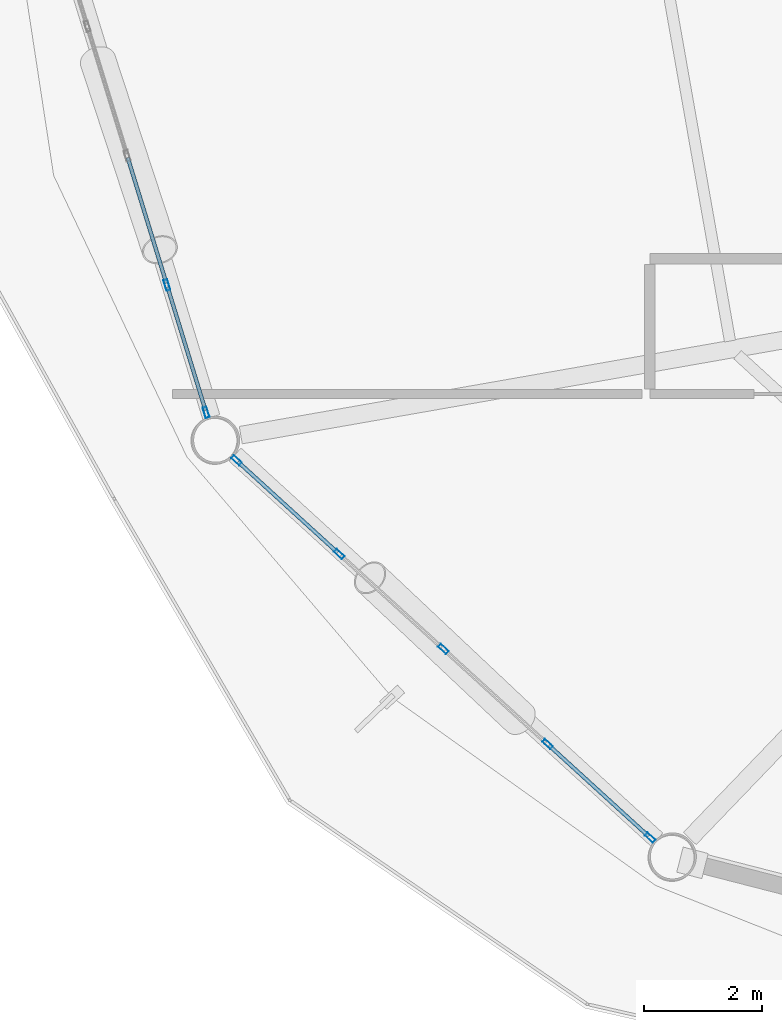
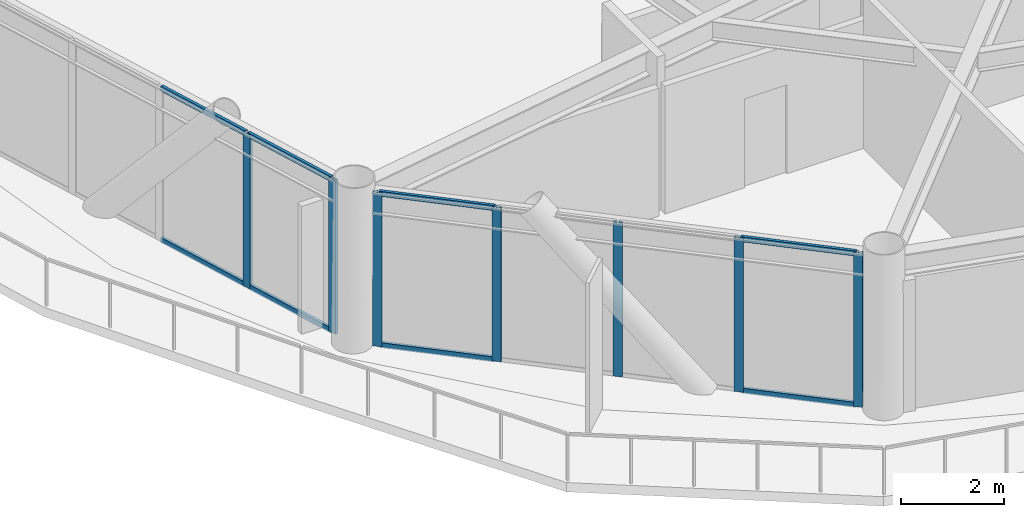
# One storey, part 2 of 23: 15 members, 2 elements without a shape of their own.
"""IFC4 building model written with IfcOpenShell, lengths in metres."""

from ifc_helpers import new_model, si_unit, direction, frame, origin, origin_2d, place, context, subcontext, project, spatial, hollow_rectangle, extrude, material, layer, layer_set, material_profile, profile_set, type_object, element, aggregate, save


model = new_model("IFC4")

# Units and contexts
model_context = context("Model", 3, precision=1e-05, world=origin(), true_north=direction((0.0, 1.0)))
body_context = subcontext(model_context, "Body", "Model", "MODEL_VIEW")
ifc_project = project(units=[si_unit("LENGTHUNIT", "METRE"), si_unit("AREAUNIT", "SQUARE_METRE"), si_unit("VOLUMEUNIT", "CUBIC_METRE"), si_unit("PLANEANGLEUNIT", "RADIAN"), si_unit("MASSUNIT", "GRAM", prefix="KILO")], contexts=[model_context])

# Site, building, storey
site_placement = place(None, origin())
site = spatial("IfcSite", under=ifc_project, at=site_placement, CompositionType="ELEMENT")
building_placement = place(site_placement, origin())
building = spatial("IfcBuilding", under=site, at=building_placement, Name="Varnakorn Sky Granary", CompositionType="ELEMENT")
storey_placement = place(building_placement, frame((0.0, 0.0, 114.89990234375)))
storey = spatial("IfcBuildingStorey", under=building, at=storey_placement, Name="L28", CompositionType="ELEMENT", Elevation=114.89990234375)

# Curtain wall, members
ifc_material = material(Name="Anodised Bronze Aluminium Alloy 6063-T6", Category="aluminium")
ifc_layer = layer(ifc_material, 0.179931640625, Name="Anodised Bronze Aluminium Alloy 6063-T6")
ifc_layer_set = layer_set([ifc_layer], Name="Anodised Bronze Aluminium Alloy 6063-T6")
curtain_wall_type = type_object("IfcCurtainWallType", Name="CW-FRM-2", PredefinedType="USERDEFINED", material=ifc_layer_set)
curtain_wall_1_placement = place(storey_placement, origin())
curtain_wall_1 = element("IfcCurtainWall", 1, at=curtain_wall_1_placement, inside=storey, type_object=curtain_wall_type, Name="Unitised Curtain Wall CW4 CW-L28-B07", ObjectType="CURTAIN WALL", PredefinedType="USERDEFINED")
ifc_material_profile_1 = material_profile(ifc_material, hollow_rectangle(XDim=0.070068359375, YDim=0.18505859375, WallThickness=0.00390625, at=origin_2d()), Name="ALU MULL 70x185")
ifc_profile_set_1 = profile_set([ifc_material_profile_1], Name="Anodised Bronze Aluminium Alloy 6063-T6")
member_type_1 = type_object("IfcMemberType", Name="CW-FRM-2-MULL", PredefinedType="MULLION", material=ifc_profile_set_1)
member_1_placement = place(storey_placement, frame((-20.048828125, -9.211669921875, 0.0), z_axis=(0.0, 0.0, 1.0), x_axis=(-0.955783470906, -0.294071346349, 0.0)))
member_1 = element("IfcMember", 2, at=member_1_placement, type_object=member_type_1, Name="CW4 mullion 1", PredefinedType="MULLION", context=body_context, shape_type="SweptSolid", body=[
    extrude(hollow_rectangle(XDim=0.070068359375, YDim=0.18505859375, WallThickness=0.00390625, at=origin_2d()), origin(), (0.0, 0.0, 1.0), 3.64013671875),
])
member_2_placement = place(storey_placement, frame((-20.71533203125, -7.04541015625, 0.0), z_axis=(0.0, 0.0, 1.0), x_axis=(-0.955783470906, -0.294071346349, 0.0)))
member_2 = element("IfcMember", 3, at=member_2_placement, type_object=member_type_1, Name="CW4 mullion 2", PredefinedType="MULLION", context=body_context, shape_type="SweptSolid", body=[
    extrude(hollow_rectangle(XDim=0.070068359375, YDim=0.18505859375, WallThickness=0.00390625, at=origin_2d()), origin(), (0.0, 0.0, 1.0), 3.64013671875),
])

curtain_wall_2_placement = place(storey_placement, origin())
curtain_wall_2 = element("IfcCurtainWall", 4, at=curtain_wall_2_placement, inside=storey, type_object=curtain_wall_type, Name="Unitised Curtain Wall CW4 CW-L28-B08", ObjectType="CURTAIN WALL", PredefinedType="USERDEFINED")
member_3_placement = place(storey_placement, frame((-12.49462890625, -16.447265625, 0.0), z_axis=(0.0, 0.0, 1.0), x_axis=(-0.673924759752, -0.738799985242, 0.0)))
member_3 = element("IfcMember", 5, at=member_3_placement, type_object=member_type_1, Name="CW4 mullion 1", PredefinedType="MULLION", context=body_context, shape_type="SweptSolid", body=[
    extrude(hollow_rectangle(XDim=0.070068359375, YDim=0.18505859375, WallThickness=0.00390625, at=origin_2d()), origin(), (0.0, 0.0, 1.0), 3.64013671875),
])
member_4_placement = place(storey_placement, frame((-14.24072265625, -14.8544921875, 0.0), z_axis=(0.0, 0.0, 1.0), x_axis=(-0.673924759752, -0.738799985242, 0.0)))
member_4 = element("IfcMember", 6, at=member_4_placement, type_object=member_type_1, Name="CW4 mullion 2", PredefinedType="MULLION", context=body_context, shape_type="SweptSolid", body=[
    extrude(hollow_rectangle(XDim=0.070068359375, YDim=0.18505859375, WallThickness=0.00390625, at=origin_2d()), origin(), (0.0, 0.0, 1.0), 3.64013671875),
])
member_5_placement = place(storey_placement, frame((-16.0126953125, -13.238037109375, 0.0), z_axis=(0.0, 0.0, 1.0), x_axis=(-0.673924759752, -0.738799985242, 0.0)))
member_5 = element("IfcMember", 7, at=member_5_placement, type_object=member_type_1, Name="CW4 mullion 3", PredefinedType="MULLION", context=body_context, shape_type="SweptSolid", body=[
    extrude(hollow_rectangle(XDim=0.070068359375, YDim=0.18505859375, WallThickness=0.00390625, at=origin_2d()), origin(), (0.0, 0.0, 1.0), 3.64013671875),
])
member_6_placement = place(storey_placement, frame((-17.78466796875, -11.621826171875, 0.0), z_axis=(0.0, 0.0, 1.0), x_axis=(-0.673924759752, -0.738799985242, 0.0)))
member_6 = element("IfcMember", 8, at=member_6_placement, type_object=member_type_1, Name="CW4 mullion 4", PredefinedType="MULLION", context=body_context, shape_type="SweptSolid", body=[
    extrude(hollow_rectangle(XDim=0.070068359375, YDim=0.18505859375, WallThickness=0.00390625, at=origin_2d()), origin(), (0.0, 0.0, 1.0), 3.64013671875),
])
member_7_placement = place(storey_placement, frame((-19.53076171875, -10.029052734375, 0.0), z_axis=(0.0, 0.0, 1.0), x_axis=(-0.673924759752, -0.738799985242, 0.0)))
member_7 = element("IfcMember", 9, at=member_7_placement, type_object=member_type_1, Name="CW4 mullion 5", PredefinedType="MULLION", context=body_context, shape_type="SweptSolid", body=[
    extrude(hollow_rectangle(XDim=0.070068359375, YDim=0.18505859375, WallThickness=0.00390625, at=origin_2d()), origin(), (0.0, 0.0, 1.0), 3.64013671875),
])

# Member
ifc_material_profile_2 = material_profile(ifc_material, hollow_rectangle(XDim=0.06494140625, YDim=0.1201171875, WallThickness=0.00341796875, at=origin_2d()), Name="ALU TRAN 65x120")
ifc_profile_set_2 = profile_set([ifc_material_profile_2], Name="Anodised Bronze Aluminium Alloy 6063-T6")
member_type_2 = type_object("IfcMemberType", Name="CW-FRM-2-TRAN", PredefinedType="USERDEFINED", material=ifc_profile_set_2)
member_8_placement = place(storey_placement, frame((-20.05908203125, -9.17822265625, 0.03271484375), z_axis=(-0.294101469803, 0.955774202131, 0.0), x_axis=(-0.955774202131, -0.294101469803, 0.0)))
member_8 = element("IfcMember", 10, at=member_8_placement, type_object=member_type_2, Name="CW4 transom 1.1", ObjectType="TRANSOM", PredefinedType="USERDEFINED", context=body_context, shape_type="SweptSolid", body=[
    extrude(hollow_rectangle(XDim=0.06494140625, YDim=0.1201171875, WallThickness=0.00341796875, at=origin_2d()), origin(), (0.0, 0.0, 1.0), 2.196533203125),
])

member_9_placement = place(storey_placement, frame((-20.05908203125, -9.17822265625, 3.607666015625), z_axis=(-0.294101469803, 0.955774202131, 0.0), x_axis=(-0.955774202131, -0.294101469803, 0.0)))
member_9 = element("IfcMember", 11, at=member_9_placement, type_object=member_type_2, Name="CW4 transom 1.2", ObjectType="TRANSOM", PredefinedType="USERDEFINED", context=body_context, shape_type="SweptSolid", body=[
    extrude(hollow_rectangle(XDim=0.06494140625, YDim=0.1201171875, WallThickness=0.00341796875, at=origin_2d()), origin(), (0.0, 0.0, 1.0), 2.196533203125),
])

member_10_placement = place(storey_placement, frame((-20.7255859375, -7.011962890625, 0.03271484375), z_axis=(-0.29405509968, 0.95578846946, 0.0), x_axis=(-0.95578846946, -0.29405509968, 0.0)))
member_10 = element("IfcMember", 12, at=member_10_placement, type_object=member_type_2, Name="CW4 transom 2.1", ObjectType="TRANSOM", PredefinedType="USERDEFINED", context=body_context, shape_type="SweptSolid", body=[
    extrude(hollow_rectangle(XDim=0.06494140625, YDim=0.1201171875, WallThickness=0.00341796875, at=origin_2d()), origin(), (0.0, 0.0, 1.0), 2.231689453125),
])

member_11_placement = place(storey_placement, frame((-20.7255859375, -7.011962890625, 3.607666015625), z_axis=(-0.29405509968, 0.95578846946, 0.0), x_axis=(-0.95578846946, -0.29405509968, 0.0)))
member_11 = element("IfcMember", 13, at=member_11_placement, type_object=member_type_2, Name="CW4 transom 2.2", ObjectType="TRANSOM", PredefinedType="USERDEFINED", context=body_context, shape_type="SweptSolid", body=[
    extrude(hollow_rectangle(XDim=0.06494140625, YDim=0.1201171875, WallThickness=0.00341796875, at=origin_2d()), origin(), (0.0, 0.0, 1.0), 2.231689453125),
])

aggregate(curtain_wall_1, [member_1, member_2, member_8, member_9, member_10, member_11])

member_12_placement = place(storey_placement, frame((-12.5205078125, -16.423828125, 0.03271484375), z_axis=(-0.738778112969, 0.673948736773, 0.0), x_axis=(-0.673948736773, -0.738778112969, 0.0)))
member_12 = element("IfcMember", 14, at=member_12_placement, type_object=member_type_2, Name="CW4 transom 1.1", ObjectType="TRANSOM", PredefinedType="USERDEFINED", context=body_context, shape_type="SweptSolid", body=[
    extrude(hollow_rectangle(XDim=0.06494140625, YDim=0.1201171875, WallThickness=0.00341796875, at=origin_2d()), origin(), (0.0, 0.0, 1.0), 2.29345703125),
])

member_13_placement = place(storey_placement, frame((-12.5205078125, -16.423828125, 3.607666015625), z_axis=(-0.738778112969, 0.673948736773, 0.0), x_axis=(-0.673948736773, -0.738778112969, 0.0)))
member_13 = element("IfcMember", 15, at=member_13_placement, type_object=member_type_2, Name="CW4 transom 1.2", ObjectType="TRANSOM", PredefinedType="USERDEFINED", context=body_context, shape_type="SweptSolid", body=[
    extrude(hollow_rectangle(XDim=0.06494140625, YDim=0.1201171875, WallThickness=0.00341796875, at=origin_2d()), origin(), (0.0, 0.0, 1.0), 2.29345703125),
])

member_14_placement = place(storey_placement, frame((-17.810546875, -11.59814453125, 0.03271484375), z_axis=(-0.738778112969, 0.673948736773, 0.0), x_axis=(-0.673948736773, -0.738778112969, 0.0)))
member_14 = element("IfcMember", 16, at=member_14_placement, type_object=member_type_2, Name="CW4 transom 4.1", ObjectType="TRANSOM", PredefinedType="USERDEFINED", context=body_context, shape_type="SweptSolid", body=[
    extrude(hollow_rectangle(XDim=0.06494140625, YDim=0.1201171875, WallThickness=0.00341796875, at=origin_2d()), origin(), (0.0, 0.0, 1.0), 2.29345703125),
])

member_15_placement = place(storey_placement, frame((-17.810546875, -11.59814453125, 3.607666015625), z_axis=(-0.738778112969, 0.673948736773, 0.0), x_axis=(-0.673948736773, -0.738778112969, 0.0)))
member_15 = element("IfcMember", 17, at=member_15_placement, type_object=member_type_2, Name="CW4 transom 4.2", ObjectType="TRANSOM", PredefinedType="USERDEFINED", context=body_context, shape_type="SweptSolid", body=[
    extrude(hollow_rectangle(XDim=0.06494140625, YDim=0.1201171875, WallThickness=0.00341796875, at=origin_2d()), origin(), (0.0, 0.0, 1.0), 2.29345703125),
])

aggregate(curtain_wall_2, [member_3, member_4, member_5, member_6, member_7, member_12, member_13, member_14, member_15])

save(model, "model.ifc")
